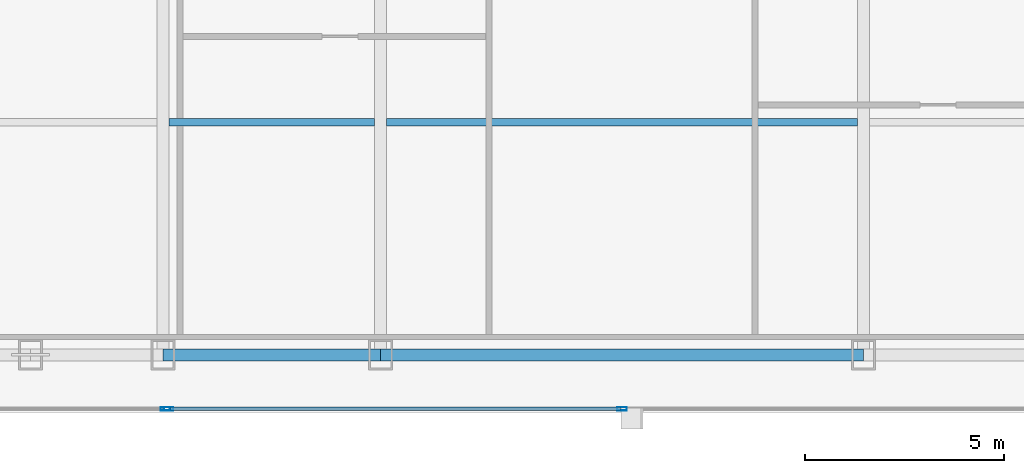
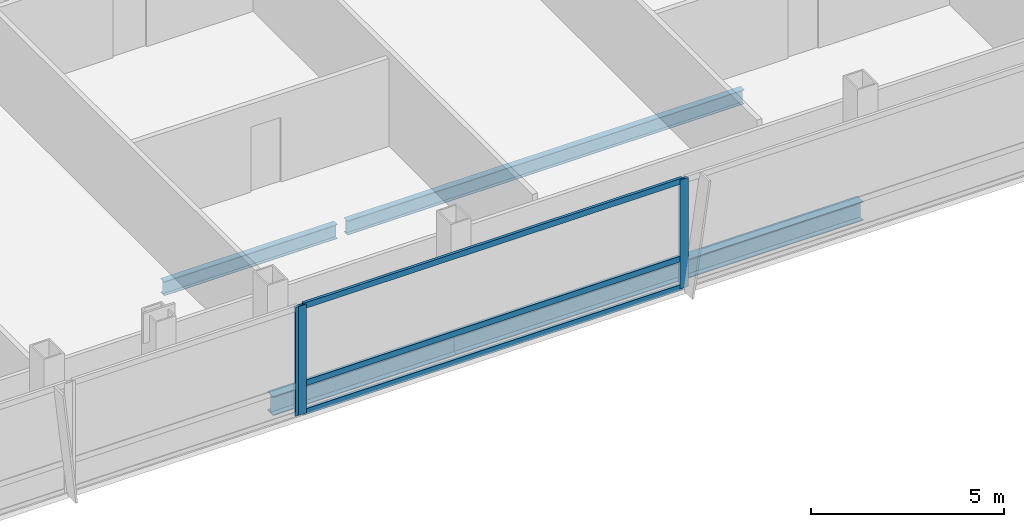
# One storey, part 8 of 32: 6 members, 4 beams, 2 elements without a shape of their own.
"""IFC4 building model written with IfcOpenShell, lengths in metres."""

import ifcopenshell
import ifcopenshell.guid

model = None  # the IFC model being written
_history = None  # IfcOwnerHistory: only IFC2X3 demands one
_inside = {}  # id of a spatial element -> (the spatial element, [elements in it])
_under = {}  # id of a project, library or spatial element -> (it, [spatial elements below it])
_declared = {}  # id of a project -> (the project, [libraries it declares])
_typed = {}  # id of a type object -> (the type object, [elements of that type])
_made_of = {}  # id of a material, layer set ... -> (it, [elements and type objects made of it])


def new_model(schema):
    """Start an empty IFC model of exactly this schema.

    Asked for "IFC4X3", IfcOpenShell would pick the latest addendum, in which some entities
    have other attributes; the version numbers below select the first issue.
    IFC2X3 requires an IfcOwnerHistory on every rooted entity: one is made here for all.
    """
    global model, _history
    if schema == "IFC4X3":
        model = ifcopenshell.file(schema_version=(4, 3, 0, 0))
    else:
        model = ifcopenshell.file(schema=schema)
    _inside.clear()
    _under.clear()
    _declared.clear()
    _typed.clear()
    _made_of.clear()
    _history = None
    if model.schema == "IFC2X3":
        org = make("IfcOrganization", Name="unknown")
        user = make(
            "IfcPersonAndOrganization",
            ThePerson=make("IfcPerson", FamilyName="unknown"),
            TheOrganization=org,
        )
        app = make(
            "IfcApplication",
            ApplicationDeveloper=org,
            Version="unknown",
            ApplicationFullName="unknown",
            ApplicationIdentifier="unknown",
        )
        _history = make(
            "IfcOwnerHistory",
            OwningUser=user,
            OwningApplication=app,
            ChangeAction="ADDED",
            CreationDate=0,
        )
    return model


def make(cls, **values):
    """One entity of the class cls with the attributes given. An attribute that is None is left unset."""
    return model.create_entity(
        cls, **{name: value for name, value in values.items() if value is not None}
    )


def rooted(cls, **values):
    """An entity with a GlobalId (a new one), such as an element, a storey or a relation."""
    return make(cls, GlobalId=ifcopenshell.guid.new(), OwnerHistory=_history, **values)


def si_unit(unit_type, name, prefix=None):
    """IfcSIUnit, for example si_unit("LENGTHUNIT", "METRE", prefix="MILLI")."""
    return make("IfcSIUnit", UnitType=unit_type, Prefix=prefix, Name=name)


def assignment(units):
    """IfcUnitAssignment: the units of a project."""
    return None if units is None else make("IfcUnitAssignment", Units=units)


def point(xyz):
    """IfcCartesianPoint."""
    return None if xyz is None else make("IfcCartesianPoint", Coordinates=xyz)


def direction(xyz):
    """IfcDirection."""
    return None if xyz is None else make("IfcDirection", DirectionRatios=xyz)


def frame(location, z_axis=None, x_axis=None):
    """IfcAxis2Placement3D, a coordinate frame: its origin and axes. An axis left out is left unset."""
    return make(
        "IfcAxis2Placement3D",
        Location=point(location),
        Axis=direction(z_axis),
        RefDirection=direction(x_axis),
    )


def frame_2d(location, x_axis=None):
    """IfcAxis2Placement2D, a coordinate frame in the plane: its origin and x axis."""
    return make(
        "IfcAxis2Placement2D", Location=point(location), RefDirection=direction(x_axis)
    )


def origin():
    """The frame at (0, 0, 0) with its axes left unset."""
    return frame((0.0, 0.0, 0.0))


def origin_2d():
    """The frame at (0, 0) in the plane with its x axis left unset."""
    return frame_2d((0.0, 0.0))


def place(relative_to, where):
    """IfcLocalPlacement: puts the frame where relative to a parent placement (None: the world)."""
    return make(
        "IfcLocalPlacement", PlacementRelTo=relative_to, RelativePlacement=where
    )


def context(
    kind, dimensions, precision=None, world=None, true_north=None, identifier=None
):
    """IfcGeometricRepresentationContext, for example the 3D "Model" context."""
    return make(
        "IfcGeometricRepresentationContext",
        ContextIdentifier=identifier,
        ContextType=kind,
        CoordinateSpaceDimension=dimensions,
        Precision=precision,
        WorldCoordinateSystem=world,
        TrueNorth=true_north,
    )


def subcontext(parent, identifier, kind, view, scale=None):
    """IfcGeometricRepresentationSubContext, for example "Body" below "Model"."""
    return make(
        "IfcGeometricRepresentationSubContext",
        ContextIdentifier=identifier,
        ContextType=kind,
        ParentContext=parent,
        TargetScale=scale,
        TargetView=view,
    )


def project(units=None, contexts=None):
    """IfcProject with its units and contexts."""
    return rooted(
        "IfcProject",
        Name="project",
        RepresentationContexts=contexts,
        UnitsInContext=assignment(units),
    )


def spatial(cls, under=None, at=None, **own):
    """A site, building, storey or space (cls), placed at a placement, below another one or the project."""
    s = rooted(cls, ObjectPlacement=at, **own)
    if under is not None:
        _under.setdefault(under.id(), (under, []))[1].append(s)
    return s


def profile(cls, at=None, kind="AREA", **sizes):
    """A parametric profile (cls). Its sizes go by their IFC names, for example OverallWidth=200.0."""
    return make(cls, ProfileType=kind, Position=at, **sizes)


def hollow_rectangle(**sizes):
    """IfcRectangleHollowProfileDef."""
    return profile("IfcRectangleHollowProfileDef", **sizes)


def i_section(**sizes):
    """IfcIShapeProfileDef."""
    return profile("IfcIShapeProfileDef", **sizes)


def extrude(swept, where, along, depth):
    """IfcExtrudedAreaSolid: the profile swept, set in the frame where, extruded along a direction by depth."""
    return make(
        "IfcExtrudedAreaSolid",
        SweptArea=swept,
        Position=where,
        ExtrudedDirection=direction(along),
        Depth=depth,
    )


def shape(context_of_items, identifier, shape_type, items):
    """IfcShapeRepresentation: the items that make up one representation, for example the "Body"."""
    return make(
        "IfcShapeRepresentation",
        ContextOfItems=context_of_items,
        RepresentationIdentifier=identifier,
        RepresentationType=shape_type,
        Items=items,
    )


def material(Name=None, Category=None):
    """IfcMaterial."""
    return make("IfcMaterial", Name=Name, Category=Category)


def material_profile(
    of_material, cross_section, Name=None, Category=None, Priority=None
):
    """IfcMaterialProfile: a cross section and its material."""
    return make(
        "IfcMaterialProfile",
        Name=Name,
        Material=of_material,
        Profile=cross_section,
        Priority=Priority,
        Category=Category,
    )


def profile_set(profiles, Name=None, composite=None):
    """IfcMaterialProfileSet."""
    return make(
        "IfcMaterialProfileSet",
        Name=Name,
        MaterialProfiles=profiles,
        CompositeProfile=composite,
    )


def made_of(thing, what):
    """Note that an element or type object is made of a material, layer set ...; save() writes the relation."""
    if what is not None:
        _made_of.setdefault(what.id(), (what, []))[1].append(thing)
    return thing


def type_object(cls, material=None, **own):
    """A type object (cls), such as IfcWallType, which elements share."""
    return made_of(rooted(cls, **own), material)


def element(
    cls,
    number,
    at=None,
    inside=None,
    cuts=None,
    type_object=None,
    material=None,
    context=None,
    identifier="Body",
    shape_type=None,
    held_by="IfcProductDefinitionShape",
    body=None,
    shapes=None,
    **own,
):
    """One element of the class cls, such as IfcWall. Its Tag is "e" and its number.

    at: its placement. inside: the storey or other place that contains it. cuts: it is an
    opening in that element (IfcRelVoidsElement). A single representation is given by context,
    identifier, shape_type and body (its items); several are given by shapes. held_by: the class
    of the entity that holds the representations. save() writes the other relations.
    """
    e = rooted(cls, Tag="e%d" % number, ObjectPlacement=at, **own)
    if body is not None:
        shapes = [shape(context, identifier, shape_type, body)]
    if shapes is not None:
        e.Representation = make(held_by, Representations=shapes)
    if inside is not None:
        _inside.setdefault(inside.id(), (inside, []))[1].append(e)
    if cuts is not None:
        rooted(
            "IfcRelVoidsElement", RelatingBuildingElement=cuts, RelatedOpeningElement=e
        )
    if type_object is not None:
        _typed.setdefault(type_object.id(), (type_object, []))[1].append(e)
    return made_of(e, material)


def aggregate(whole, parts):
    """IfcRelAggregates: a whole, such as a stair, and the parts it consists of."""
    return rooted("IfcRelAggregates", RelatingObject=whole, RelatedObjects=parts)


def save(model, path):
    """Write the relations noted so far, then the file.

    IfcRelAggregates (storeys below a building ...), IfcRelContainedInSpatialStructure (elements
    in a storey), IfcRelDefinesByType, IfcRelAssociatesMaterial and IfcRelDeclares: one each for
    every whole, place, type object, material and project.
    """
    for whole, parts in _under.values():
        aggregate(whole, parts)
    for where, things in _inside.values():
        rooted(
            "IfcRelContainedInSpatialStructure",
            RelatedElements=things,
            RelatingStructure=where,
        )
    for kind, things in _typed.values():
        rooted("IfcRelDefinesByType", RelatedObjects=things, RelatingType=kind)
    for what, things in _made_of.values():
        rooted("IfcRelAssociatesMaterial", RelatedObjects=things, RelatingMaterial=what)
    for by, libraries in _declared.values():
        rooted("IfcRelDeclares", RelatingContext=by, RelatedDefinitions=libraries)
    model.write(path)


model = new_model("IFC4")

# Units and contexts
model_context = context("Model", 3, precision=1e-05, world=origin(), true_north=direction((0.0, 1.0)))
body_context = subcontext(model_context, "Body", "Model", "MODEL_VIEW")
ifc_project = project(units=[si_unit("LENGTHUNIT", "METRE"), si_unit("AREAUNIT", "SQUARE_METRE"), si_unit("VOLUMEUNIT", "CUBIC_METRE"), si_unit("PLANEANGLEUNIT", "RADIAN"), si_unit("MASSUNIT", "GRAM", prefix="KILO")], contexts=[model_context])

# Site, building, storey
site_placement = place(None, origin())
site = spatial("IfcSite", under=ifc_project, at=site_placement, CompositionType="ELEMENT")
building_placement = place(site_placement, origin())
building = spatial("IfcBuilding", under=site, at=building_placement, Name="Khoronbel Lancet Exchange", CompositionType="ELEMENT")
storey_placement = place(building_placement, frame((0.0, 0.0, 228.199951171875)))
storey = spatial("IfcBuildingStorey", under=building, at=storey_placement, Name="L58", CompositionType="ELEMENT", Elevation=228.199951171875)

# Beams
ifc_material_1 = material(Name="Steel S355", Category="steel")
ifc_material_profile_1 = material_profile(ifc_material_1, i_section(OverallWidth=0.18994140625, OverallDepth=0.449951171875, WebThickness=0.009521484375, FlangeThickness=0.0146484375, at=origin_2d()), Name="IPE 450")
ifc_profile_set_1 = profile_set([ifc_material_profile_1], Name="Steel S355")
beam_type_1 = type_object("IfcBeamType", Name="BM-BJ4", PredefinedType="JOIST", material=ifc_profile_set_1)
beam_1_placement = place(storey_placement, frame((25.050048828125, 16.0, -0.385009765625), z_axis=(1.0, 0.0, 0.0), x_axis=(0.0, 1.0, 0.0)))
element("IfcBeam", 1, at=beam_1_placement, inside=storey, type_object=beam_type_1, Name="Level L58 secondary composite joist J02", PredefinedType="JOIST", context=body_context, shape_type="SweptSolid", body=[
    extrude(i_section(OverallWidth=0.18994140625, OverallDepth=0.449951171875, WebThickness=0.009521484375, FlangeThickness=0.0146484375, at=origin_2d()), origin(), (0.0, 0.0, 1.0), 5.175048828125),
])
beam_2_placement = place(storey_placement, frame((30.52490234375, 16.0, -0.385009765625), z_axis=(1.0, 0.0, 0.0), x_axis=(0.0, 1.0, 0.0)))
element("IfcBeam", 2, at=beam_2_placement, inside=storey, type_object=beam_type_1, Name="Level L58 secondary composite joist J03", PredefinedType="JOIST", context=body_context, shape_type="SweptSolid", body=[
    extrude(i_section(OverallWidth=0.18994140625, OverallDepth=0.449951171875, WebThickness=0.009521484375, FlangeThickness=0.0146484375, at=origin_2d()), origin(), (0.0, 0.0, 1.0), 11.85009765625),
])
ifc_material_profile_2 = material_profile(ifc_material_1, i_section(OverallWidth=0.300048828125, OverallDepth=0.60009765625, WebThickness=0.015380859375, FlangeThickness=0.030029296875, at=origin_2d()), Name="HEB 600")
ifc_profile_set_2 = profile_set([ifc_material_profile_2], Name="Steel S355")
beam_type_2 = type_object("IfcBeamType", Name="BM-BSP2", PredefinedType="SPANDREL", material=ifc_profile_set_2)
beam_3_placement = place(storey_placement, frame((24.89990234375, 10.14990234375, -0.4599609375), z_axis=(1.0, 0.0, 0.0), x_axis=(0.0, 1.0, 0.0)))
element("IfcBeam", 3, at=beam_3_placement, inside=storey, type_object=beam_type_2, Name="Level L58 perimeter spandrel beam SP04", PredefinedType="SPANDREL", context=body_context, shape_type="SweptSolid", body=[
    extrude(i_section(OverallWidth=0.300048828125, OverallDepth=0.60009765625, WebThickness=0.015380859375, FlangeThickness=0.030029296875, at=origin_2d()), origin(), (0.0, 0.0, 1.0), 5.47509765625),
])
beam_4_placement = place(storey_placement, frame((30.375, 10.14990234375, -0.4599609375), z_axis=(1.0, 0.0, 0.0), x_axis=(0.0, 1.0, 0.0)))
element("IfcBeam", 4, at=beam_4_placement, inside=storey, type_object=beam_type_2, Name="Level L58 perimeter spandrel beam SP05", PredefinedType="SPANDREL", context=body_context, shape_type="SweptSolid", body=[
    extrude(i_section(OverallWidth=0.300048828125, OverallDepth=0.60009765625, WebThickness=0.015380859375, FlangeThickness=0.030029296875, at=origin_2d()), origin(), (0.0, 0.0, 1.0), 12.14990234375),
])

# Curtain wall, member
ifc_material_2 = material(Name="Low-E Solar Control Insulating Glass", Category="glass")
curtain_wall_type = type_object("IfcCurtainWallType", Name="CW-3", PredefinedType="NOTDEFINED", material=ifc_material_2)
curtain_wall_1_placement = place(storey_placement, origin())
curtain_wall_1 = element("IfcCurtainWall", 5, at=curtain_wall_1_placement, inside=storey, type_object=curtain_wall_type, Name="Unitised curtain wall CW-L58-SWB", PredefinedType="NOTDEFINED")
ifc_material_3 = material(Name="Bronze-Anodised Aluminium 6063-T6", Category="aluminium")
ifc_material_profile_3 = material_profile(ifc_material_3, hollow_rectangle(XDim=0.0849609375, YDim=0.239990234375, WallThickness=0.006103515625, at=origin_2d()), Name="ALU MULLION 85x240")
ifc_profile_set_3 = profile_set([ifc_material_profile_3], Name="Bronze-Anodised Aluminium 6063-T6")
member_type_1 = type_object("IfcMemberType", Name="MEM-CWM1", PredefinedType="MULLION", material=ifc_profile_set_3)
member_1_placement = place(storey_placement, frame((24.95751953125, 8.7900390625, 0.0), z_axis=(0.0, 0.0, 1.0), x_axis=(0.0, 1.0, 0.0)))
member_1 = element("IfcMember", 6, at=member_1_placement, type_object=member_type_1, Name="CW3 mullion 2", PredefinedType="MULLION", context=body_context, shape_type="SweptSolid", body=[
    extrude(hollow_rectangle(XDim=0.0849609375, YDim=0.239990234375, WallThickness=0.006103515625, at=origin_2d()), origin(), (0.0, 0.0, 1.0), 3.43994140625),
])
aggregate(curtain_wall_1, [member_1])

# Curtain wall, members
curtain_wall_2_placement = place(storey_placement, origin())
curtain_wall_2 = element("IfcCurtainWall", 7, at=curtain_wall_2_placement, inside=storey, type_object=curtain_wall_type, Name="Unitised curtain wall CW-L58-SCV", PredefinedType="NOTDEFINED")
member_2_placement = place(storey_placement, frame((25.04248046875, 8.7900390625, 0.0), z_axis=(0.0, 0.0, 1.0), x_axis=(0.0, 1.0, 0.0)))
member_2 = element("IfcMember", 8, at=member_2_placement, type_object=member_type_1, Name="CW3 mullion 1", PredefinedType="MULLION", context=body_context, shape_type="SweptSolid", body=[
    extrude(hollow_rectangle(XDim=0.0849609375, YDim=0.239990234375, WallThickness=0.006103515625, at=origin_2d()), origin(), (0.0, 0.0, 1.0), 3.43994140625),
])
member_3_placement = place(storey_placement, frame((36.449951171875, 8.7900390625, 0.0), z_axis=(0.0, 0.0, 1.0), x_axis=(0.0, 1.0, 0.0)))
member_3 = element("IfcMember", 9, at=member_3_placement, type_object=member_type_1, Name="CW3 mullion 2", PredefinedType="MULLION", context=body_context, shape_type="SweptSolid", body=[
    extrude(hollow_rectangle(XDim=0.0849609375, YDim=0.239990234375, WallThickness=0.006103515625, at=origin_2d()), origin(), (0.0, 0.0, 1.0), 3.43994140625),
])
ifc_material_profile_4 = material_profile(ifc_material_3, hollow_rectangle(XDim=0.0849609375, YDim=0.179931640625, WallThickness=0.0048828125, at=origin_2d()), Name="ALU TRANSOM 85x180")
ifc_profile_set_4 = profile_set([ifc_material_profile_4], Name="Bronze-Anodised Aluminium 6063-T6")
member_type_2 = type_object("IfcMemberType", Name="MEM-CWT1", PredefinedType="USERDEFINED", material=ifc_profile_set_4)
member_4_placement = place(storey_placement, frame((25.0849609375, 8.7900390625, 0.04248046875), z_axis=(1.0, 0.0, 0.0), x_axis=(0.0, 1.0, 0.0)))
member_4 = element("IfcMember", 10, at=member_4_placement, type_object=member_type_2, Name="CW3 transom 1.1", ObjectType="TRANSOM", PredefinedType="USERDEFINED", context=body_context, shape_type="SweptSolid", body=[
    extrude(hollow_rectangle(XDim=0.0849609375, YDim=0.179931640625, WallThickness=0.0048828125, at=origin_2d()), origin(), (0.0, 0.0, 1.0), 11.322509765625),
])
member_5_placement = place(storey_placement, frame((25.0849609375, 8.7900390625, 0.949951171875), z_axis=(1.0, 0.0, 0.0), x_axis=(0.0, 1.0, 0.0)))
member_5 = element("IfcMember", 11, at=member_5_placement, type_object=member_type_2, Name="CW3 transom 1.2", ObjectType="TRANSOM", PredefinedType="USERDEFINED", context=body_context, shape_type="SweptSolid", body=[
    extrude(hollow_rectangle(XDim=0.0849609375, YDim=0.179931640625, WallThickness=0.0048828125, at=origin_2d()), origin(), (0.0, 0.0, 1.0), 11.322509765625),
])
member_6_placement = place(storey_placement, frame((25.0849609375, 8.7900390625, 3.3974609375), z_axis=(1.0, 0.0, 0.0), x_axis=(0.0, 1.0, 0.0)))
member_6 = element("IfcMember", 12, at=member_6_placement, type_object=member_type_2, Name="CW3 transom 1.3", ObjectType="TRANSOM", PredefinedType="USERDEFINED", context=body_context, shape_type="SweptSolid", body=[
    extrude(hollow_rectangle(XDim=0.0849609375, YDim=0.179931640625, WallThickness=0.0048828125, at=origin_2d()), origin(), (0.0, 0.0, 1.0), 11.322509765625),
])
aggregate(curtain_wall_2, [member_2, member_3, member_4, member_5, member_6])

save(model, "model.ifc")
